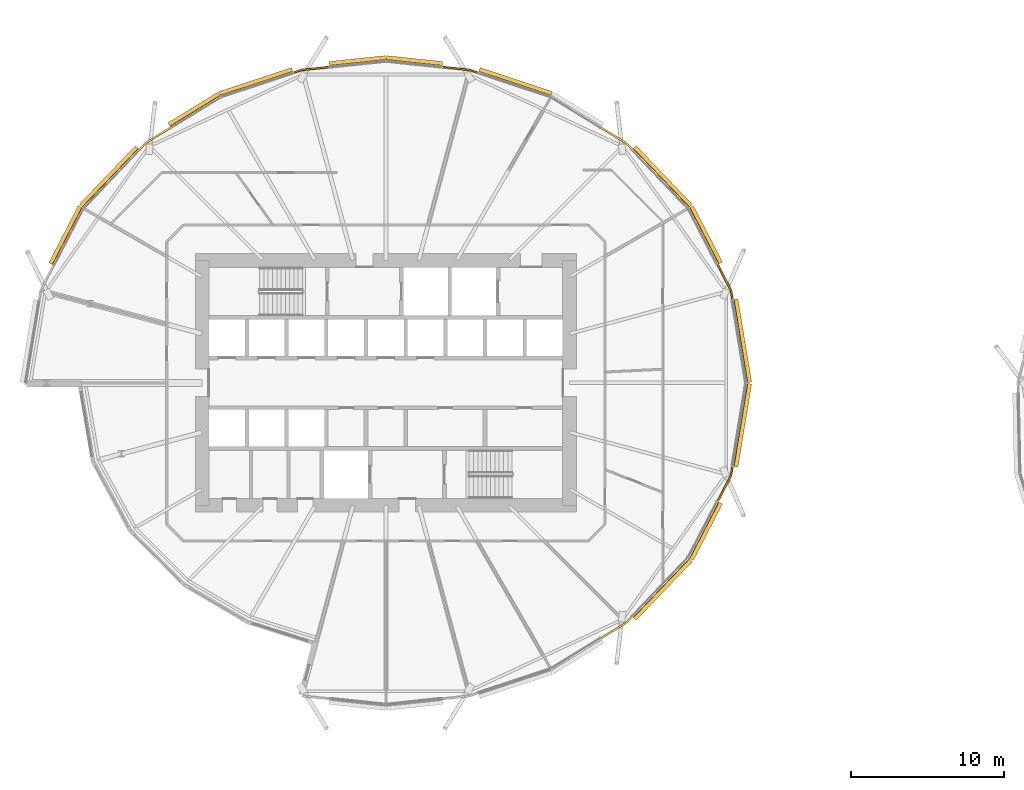
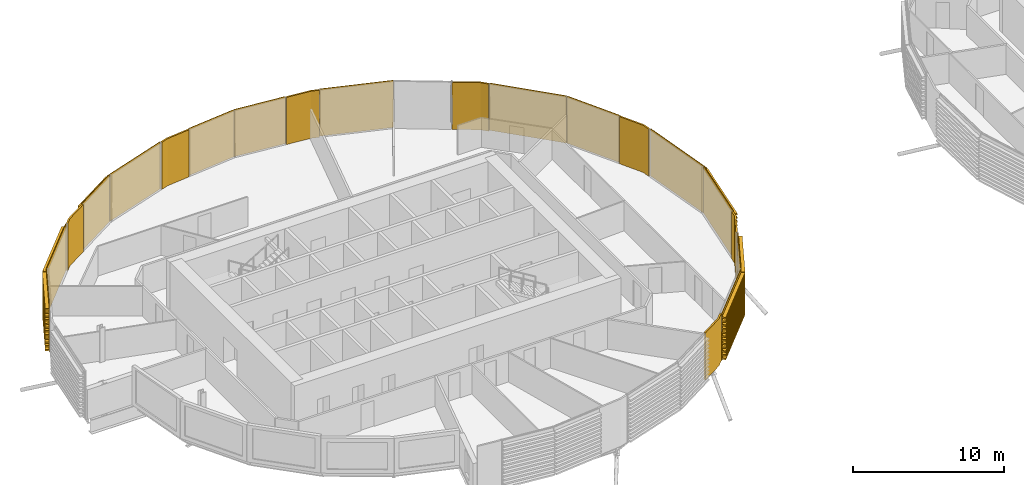
# One storey, part 35 of 38: 20 coverings.
"""IFC4 building model written with IfcOpenShell, lengths in metres."""

from ifc_helpers import new_model, si_unit, direction, frame, origin, place, context, subcontext, project, spatial, polyline, outline, extrude, material, layer, layer_set, material_profile, profile_set, type_object, element, save


model = new_model("IFC4")

# Units and contexts
model_context = context("Model", 3, precision=1e-05, world=origin(), true_north=direction((0.0, 1.0)))
body_context = subcontext(model_context, "Body", "Model", "MODEL_VIEW")
ifc_project = project(units=[si_unit("LENGTHUNIT", "METRE"), si_unit("AREAUNIT", "SQUARE_METRE"), si_unit("VOLUMEUNIT", "CUBIC_METRE"), si_unit("PLANEANGLEUNIT", "RADIAN"), si_unit("MASSUNIT", "GRAM", prefix="KILO")], contexts=[model_context])

# Site, building, storey
site_placement = place(None, origin())
site = spatial("IfcSite", under=ifc_project, at=site_placement, CompositionType="ELEMENT")
building_placement = place(site_placement, origin())
building = spatial("IfcBuilding", under=site, at=building_placement, Name="Rimbun Link Towers", CompositionType="ELEMENT")
storey_placement = place(building_placement, frame((0.0, 0.0, 71.800048828125)))
storey = spatial("IfcBuildingStorey", under=building, at=storey_placement, Name="L17", CompositionType="ELEMENT", Elevation=71.800048828125)

# Coverings
ifc_material_1 = material(Name="Terracotta", Category="masonry")
ifc_layer = layer(ifc_material_1, 0.1201171875)
ifc_layer_set = layer_set([ifc_layer], Name="LINK PIER terracotta cladding 120")
covering_type_1 = type_object("IfcCoveringType", Name="LINK PIER terracotta cladding 120", PredefinedType="CLADDING", material=ifc_layer_set)
covering_1_placement = place(storey_placement, origin())
element("IfcCovering", 1, at=covering_1_placement, inside=storey, type_object=covering_type_1, Name="LINK PIER cladding", PredefinedType="CLADDING", context=body_context, shape_type="SweptSolid", body=[
    extrude(outline(polyline([(-10.106689453125, 7.6904296875), (-9.247314453125, 6.029541015625), (-9.15478515625, 5.467041015625), (-9.036376953125, 5.486572265625), (-9.1318359375, 6.06787109375), (-10.0, 7.74560546875), (-10.106689453125, 7.6904296875)])), origin(), (0.0, 0.0, 1.0), 3.800048828125),
])
covering_2_placement = place(storey_placement, origin())
element("IfcCovering", 2, at=covering_2_placement, inside=storey, type_object=covering_type_1, Name="LINK PIER cladding", PredefinedType="CLADDING", context=body_context, shape_type="SweptSolid", body=[
    extrude(outline(polyline([(-17.696044921875, 16.6259765625), (-16.102294921875, 15.647705078125), (-15.7080078125, 15.236083984375), (-15.621337890625, 15.319091796875), (-16.0263671875, 15.74169921875), (-17.63330078125, 16.728271484375), (-17.696044921875, 16.6259765625)])), origin(), (0.0, 0.0, 1.0), 3.800048828125),
])
covering_3_placement = place(storey_placement, origin())
element("IfcCovering", 3, at=covering_3_placement, inside=storey, type_object=covering_type_1, Name="LINK PIER cladding", PredefinedType="CLADDING", context=body_context, shape_type="SweptSolid", body=[
    extrude(outline(polyline([(-28.043701171875, 20.586669921875), (-26.283447265625, 20.4013671875), (-25.742431640625, 20.221923828125), (-25.70458984375, 20.3359375), (-26.258056640625, 20.519287109375), (-28.03125, 20.7060546875), (-28.043701171875, 20.586669921875)])), origin(), (0.0, 0.0, 1.0), 3.800048828125),
])
covering_4_placement = place(storey_placement, origin())
element("IfcCovering", 4, at=covering_4_placement, inside=storey, type_object=covering_type_1, Name="LINK PIER cladding", PredefinedType="CLADDING", context=body_context, shape_type="SweptSolid", body=[
    extrude(outline(polyline([(-37.757568359375, 20.221923828125), (-37.216552734375, 20.4013671875), (-35.456298828125, 20.586669921875), (-35.46875, 20.7060546875), (-37.241943359375, 20.519287109375), (-37.79541015625, 20.3359375), (-37.757568359375, 20.221923828125)])), origin(), (0.0, 0.0, 1.0), 3.800048828125),
])
covering_5_placement = place(storey_placement, origin())
element("IfcCovering", 5, at=covering_5_placement, inside=storey, type_object=covering_type_1, Name="LINK PIER cladding", PredefinedType="CLADDING", context=body_context, shape_type="SweptSolid", body=[
    extrude(outline(polyline([(-47.7919921875, 15.236083984375), (-47.397705078125, 15.647705078125), (-45.803955078125, 16.6259765625), (-45.86669921875, 16.728271484375), (-47.4736328125, 15.74169921875), (-47.878662109375, 15.319091796875), (-47.7919921875, 15.236083984375)])), origin(), (0.0, 0.0, 1.0), 3.800048828125),
])
covering_6_placement = place(storey_placement, origin())
element("IfcCovering", 6, at=covering_6_placement, inside=storey, type_object=covering_type_1, Name="LINK PIER cladding", PredefinedType="CLADDING", context=body_context, shape_type="SweptSolid", body=[
    extrude(outline(polyline([(-15.7080078125, -15.236083984375), (-16.102294921875, -15.647705078125), (-17.696044921875, -16.6259765625), (-17.63330078125, -16.728271484375), (-16.0263671875, -15.74169921875), (-15.621337890625, -15.319091796875), (-15.7080078125, -15.236083984375)])), origin(), (0.0, 0.0, 1.0), 3.800048828125),
])
covering_7_placement = place(storey_placement, origin())
element("IfcCovering", 7, at=covering_7_placement, inside=storey, type_object=covering_type_1, Name="LINK PIER cladding", PredefinedType="CLADDING", context=body_context, shape_type="SweptSolid", body=[
    extrude(outline(polyline([(-9.15478515625, -5.467041015625), (-9.247314453125, -6.029541015625), (-10.106689453125, -7.6904296875), (-10.0, -7.74560546875), (-9.1318359375, -6.06787109375), (-9.036376953125, -5.486572265625), (-9.15478515625, -5.467041015625)])), origin(), (0.0, 0.0, 1.0), 3.800048828125),
])
ifc_material_2 = material(Name="Terracotta", Category="masonry")
ifc_material_profile = material_profile(ifc_material_2, outline(polyline([(0.123046875, 0.0), (0.1630859375, 0.0), (0.1630859375, 0.10009765625), (0.423095703125, 0.10009765625), (0.423095703125, 0.219970703125), (0.1630859375, 0.219970703125), (0.1630859375, 0.39990234375), (0.423095703125, 0.39990234375), (0.423095703125, 0.52001953125), (0.1630859375, 0.52001953125), (0.1630859375, 0.699951171875), (0.423095703125, 0.699951171875), (0.423095703125, 0.820068359375), (0.1630859375, 0.820068359375), (0.1630859375, 1.0), (0.423095703125, 1.0), (0.423095703125, 1.1201171875), (0.1630859375, 1.1201171875), (0.1630859375, 1.300048828125), (0.423095703125, 1.300048828125), (0.423095703125, 1.419921875), (0.1630859375, 1.419921875), (0.1630859375, 1.60009765625), (0.423095703125, 1.60009765625), (0.423095703125, 1.719970703125), (0.1630859375, 1.719970703125), (0.1630859375, 1.89990234375), (0.423095703125, 1.89990234375), (0.423095703125, 2.02001953125), (0.1630859375, 2.02001953125), (0.1630859375, 2.199951171875), (0.423095703125, 2.199951171875), (0.423095703125, 2.320068359375), (0.1630859375, 2.320068359375), (0.1630859375, 2.5), (0.423095703125, 2.5), (0.423095703125, 2.6201171875), (0.1630859375, 2.6201171875), (0.1630859375, 2.800048828125), (0.423095703125, 2.800048828125), (0.423095703125, 2.919921875), (0.1630859375, 2.919921875), (0.1630859375, 3.10009765625), (0.423095703125, 3.10009765625), (0.423095703125, 3.219970703125), (0.1630859375, 3.219970703125), (0.1630859375, 3.39990234375), (0.423095703125, 3.39990234375), (0.423095703125, 3.52001953125), (0.1630859375, 3.52001953125), (0.1630859375, 3.800048828125), (0.123046875, 3.800048828125), (0.123046875, 0.0)])), Name="BAGUETTE 120X300")
ifc_profile_set = profile_set([ifc_material_profile], Name="Terracotta")
covering_type_2 = type_object("IfcCoveringType", Name="TERRACOTTA BAGUETTE 120X300 H3800", PredefinedType="CLADDING", material=ifc_profile_set)
covering_8_placement = place(storey_placement, frame((-9.14990234375, 5.4375, 0.0), z_axis=(0.162286376516, -0.986743701271, 0.0), x_axis=(0.986743701271, 0.162286376516, 0.0)))
element("IfcCovering", 8, at=covering_8_placement, inside=storey, type_object=covering_type_2, Name="TERRACOTTA BAGUETTE", PredefinedType="CLADDING", context=body_context, shape_type="SweptSolid", body=[
    extrude(outline(polyline([(0.123046875, 0.0), (0.1630859375, 0.0), (0.1630859375, 0.10009765625), (0.423095703125, 0.10009765625), (0.423095703125, 0.219970703125), (0.1630859375, 0.219970703125), (0.1630859375, 0.39990234375), (0.423095703125, 0.39990234375), (0.423095703125, 0.52001953125), (0.1630859375, 0.52001953125), (0.1630859375, 0.699951171875), (0.423095703125, 0.699951171875), (0.423095703125, 0.820068359375), (0.1630859375, 0.820068359375), (0.1630859375, 1.0), (0.423095703125, 1.0), (0.423095703125, 1.1201171875), (0.1630859375, 1.1201171875), (0.1630859375, 1.300048828125), (0.423095703125, 1.300048828125), (0.423095703125, 1.419921875), (0.1630859375, 1.419921875), (0.1630859375, 1.60009765625), (0.423095703125, 1.60009765625), (0.423095703125, 1.719970703125), (0.1630859375, 1.719970703125), (0.1630859375, 1.89990234375), (0.423095703125, 1.89990234375), (0.423095703125, 2.02001953125), (0.1630859375, 2.02001953125), (0.1630859375, 2.199951171875), (0.423095703125, 2.199951171875), (0.423095703125, 2.320068359375), (0.1630859375, 2.320068359375), (0.1630859375, 2.5), (0.423095703125, 2.5), (0.423095703125, 2.6201171875), (0.1630859375, 2.6201171875), (0.1630859375, 2.800048828125), (0.423095703125, 2.800048828125), (0.423095703125, 2.919921875), (0.1630859375, 2.919921875), (0.1630859375, 3.10009765625), (0.423095703125, 3.10009765625), (0.423095703125, 3.219970703125), (0.1630859375, 3.219970703125), (0.1630859375, 3.39990234375), (0.423095703125, 3.39990234375), (0.423095703125, 3.52001953125), (0.1630859375, 3.52001953125), (0.1630859375, 3.800048828125), (0.123046875, 3.800048828125), (0.123046875, 0.0)])), origin(), (0.0, 0.0, 1.0), 5.510498046875),
])
covering_9_placement = place(storey_placement, frame((-12.02099609375, 11.390380859375, 0.0), z_axis=(0.459543354424, -0.888155338556, 0.0), x_axis=(0.888155338556, 0.459543354424, 0.0)))
element("IfcCovering", 9, at=covering_9_placement, inside=storey, type_object=covering_type_2, Name="TERRACOTTA BAGUETTE", PredefinedType="CLADDING", context=body_context, shape_type="SweptSolid", body=[
    extrude(outline(polyline([(0.123046875, 0.0), (0.1630859375, 0.0), (0.1630859375, 0.10009765625), (0.423095703125, 0.10009765625), (0.423095703125, 0.219970703125), (0.1630859375, 0.219970703125), (0.1630859375, 0.39990234375), (0.423095703125, 0.39990234375), (0.423095703125, 0.52001953125), (0.1630859375, 0.52001953125), (0.1630859375, 0.699951171875), (0.423095703125, 0.699951171875), (0.423095703125, 0.820068359375), (0.1630859375, 0.820068359375), (0.1630859375, 1.0), (0.423095703125, 1.0), (0.423095703125, 1.1201171875), (0.1630859375, 1.1201171875), (0.1630859375, 1.300048828125), (0.423095703125, 1.300048828125), (0.423095703125, 1.419921875), (0.1630859375, 1.419921875), (0.1630859375, 1.60009765625), (0.423095703125, 1.60009765625), (0.423095703125, 1.719970703125), (0.1630859375, 1.719970703125), (0.1630859375, 1.89990234375), (0.423095703125, 1.89990234375), (0.423095703125, 2.02001953125), (0.1630859375, 2.02001953125), (0.1630859375, 2.199951171875), (0.423095703125, 2.199951171875), (0.423095703125, 2.320068359375), (0.1630859375, 2.320068359375), (0.1630859375, 2.5), (0.423095703125, 2.5), (0.423095703125, 2.6201171875), (0.1630859375, 2.6201171875), (0.1630859375, 2.800048828125), (0.423095703125, 2.800048828125), (0.423095703125, 2.919921875), (0.1630859375, 2.919921875), (0.1630859375, 3.10009765625), (0.423095703125, 3.10009765625), (0.423095703125, 3.219970703125), (0.1630859375, 3.219970703125), (0.1630859375, 3.39990234375), (0.423095703125, 3.39990234375), (0.423095703125, 3.52001953125), (0.1630859375, 3.52001953125), (0.1630859375, 3.800048828125), (0.123046875, 3.800048828125), (0.123046875, 0.0)])), origin(), (0.0, 0.0, 1.0), 4.135986328125),
])
covering_10_placement = place(storey_placement, frame((-15.687255859375, 15.214599609375, 0.0), z_axis=(0.6920414756, -0.721857739482, 0.0), x_axis=(0.721857739482, 0.6920414756, 0.0)))
element("IfcCovering", 10, at=covering_10_placement, inside=storey, type_object=covering_type_2, Name="TERRACOTTA BAGUETTE", PredefinedType="CLADDING", context=body_context, shape_type="SweptSolid", body=[
    extrude(outline(polyline([(0.123046875, 0.0), (0.1630859375, 0.0), (0.1630859375, 0.10009765625), (0.423095703125, 0.10009765625), (0.423095703125, 0.219970703125), (0.1630859375, 0.219970703125), (0.1630859375, 0.39990234375), (0.423095703125, 0.39990234375), (0.423095703125, 0.52001953125), (0.1630859375, 0.52001953125), (0.1630859375, 0.699951171875), (0.423095703125, 0.699951171875), (0.423095703125, 0.820068359375), (0.1630859375, 0.820068359375), (0.1630859375, 1.0), (0.423095703125, 1.0), (0.423095703125, 1.1201171875), (0.1630859375, 1.1201171875), (0.1630859375, 1.300048828125), (0.423095703125, 1.300048828125), (0.423095703125, 1.419921875), (0.1630859375, 1.419921875), (0.1630859375, 1.60009765625), (0.423095703125, 1.60009765625), (0.423095703125, 1.719970703125), (0.1630859375, 1.719970703125), (0.1630859375, 1.89990234375), (0.423095703125, 1.89990234375), (0.423095703125, 2.02001953125), (0.1630859375, 2.02001953125), (0.1630859375, 2.199951171875), (0.423095703125, 2.199951171875), (0.423095703125, 2.320068359375), (0.1630859375, 2.320068359375), (0.1630859375, 2.5), (0.423095703125, 2.5), (0.423095703125, 2.6201171875), (0.1630859375, 2.6201171875), (0.1630859375, 2.800048828125), (0.423095703125, 2.800048828125), (0.423095703125, 2.919921875), (0.1630859375, 2.919921875), (0.1630859375, 3.10009765625), (0.423095703125, 3.10009765625), (0.423095703125, 3.219970703125), (0.1630859375, 3.219970703125), (0.1630859375, 3.39990234375), (0.423095703125, 3.39990234375), (0.423095703125, 3.52001953125), (0.1630859375, 3.52001953125), (0.1630859375, 3.800048828125), (0.123046875, 3.800048828125), (0.123046875, 0.0)])), origin(), (0.0, 0.0, 1.0), 5.2978515625),
])
covering_11_placement = place(storey_placement, frame((-25.7138671875, 20.212646484375, 0.0), z_axis=(0.949230755565, -0.314580629871, 0.0), x_axis=(0.314580629871, 0.949230755565, 0.0)))
element("IfcCovering", 11, at=covering_11_placement, inside=storey, type_object=covering_type_2, Name="TERRACOTTA BAGUETTE", PredefinedType="CLADDING", context=body_context, shape_type="SweptSolid", body=[
    extrude(outline(polyline([(0.123046875, 0.0), (0.1630859375, 0.0), (0.1630859375, 0.10009765625), (0.423095703125, 0.10009765625), (0.423095703125, 0.219970703125), (0.1630859375, 0.219970703125), (0.1630859375, 0.39990234375), (0.423095703125, 0.39990234375), (0.423095703125, 0.52001953125), (0.1630859375, 0.52001953125), (0.1630859375, 0.699951171875), (0.423095703125, 0.699951171875), (0.423095703125, 0.820068359375), (0.1630859375, 0.820068359375), (0.1630859375, 1.0), (0.423095703125, 1.0), (0.423095703125, 1.1201171875), (0.1630859375, 1.1201171875), (0.1630859375, 1.300048828125), (0.423095703125, 1.300048828125), (0.423095703125, 1.419921875), (0.1630859375, 1.419921875), (0.1630859375, 1.60009765625), (0.423095703125, 1.60009765625), (0.423095703125, 1.719970703125), (0.1630859375, 1.719970703125), (0.1630859375, 1.89990234375), (0.423095703125, 1.89990234375), (0.423095703125, 2.02001953125), (0.1630859375, 2.02001953125), (0.1630859375, 2.199951171875), (0.423095703125, 2.199951171875), (0.423095703125, 2.320068359375), (0.1630859375, 2.320068359375), (0.1630859375, 2.5), (0.423095703125, 2.5), (0.423095703125, 2.6201171875), (0.1630859375, 2.6201171875), (0.1630859375, 2.800048828125), (0.423095703125, 2.800048828125), (0.423095703125, 2.919921875), (0.1630859375, 2.919921875), (0.1630859375, 3.10009765625), (0.423095703125, 3.10009765625), (0.423095703125, 3.219970703125), (0.1630859375, 3.219970703125), (0.1630859375, 3.39990234375), (0.423095703125, 3.39990234375), (0.423095703125, 3.52001953125), (0.1630859375, 3.52001953125), (0.1630859375, 3.800048828125), (0.123046875, 3.800048828125), (0.123046875, 0.0)])), origin(), (0.0, 0.0, 1.0), 4.981689453125),
])
for number, where, z_axis, x_axis, name in (
    (12, (-31.75, 20.97705078125, 0.0), (0.994499661573, -0.104739787719, 0.0), (0.104739787719, 0.994499661573, 0.0), "TERRACOTTA BAGUETTE"),
    (13, (-35.426513671875, 20.58984375, 0.0), (0.994499661573, 0.104739787719, 0.0), (-0.104739787719, 0.994499661573, 0.0), "TERRACOTTA BAGUETTE"),
):
    element("IfcCovering", number, at=place(storey_placement, frame(where, z_axis=z_axis, x_axis=x_axis)), inside=storey, type_object=covering_type_2, Name=name, PredefinedType="CLADDING", context=body_context, shape_type="SweptSolid", body=[
        extrude(outline(polyline([(0.123046875, 0.0), (0.1630859375, 0.0), (0.1630859375, 0.10009765625), (0.423095703125, 0.10009765625), (0.423095703125, 0.219970703125), (0.1630859375, 0.219970703125), (0.1630859375, 0.39990234375), (0.423095703125, 0.39990234375), (0.423095703125, 0.52001953125), (0.1630859375, 0.52001953125), (0.1630859375, 0.699951171875), (0.423095703125, 0.699951171875), (0.423095703125, 0.820068359375), (0.1630859375, 0.820068359375), (0.1630859375, 1.0), (0.423095703125, 1.0), (0.423095703125, 1.1201171875), (0.1630859375, 1.1201171875), (0.1630859375, 1.300048828125), (0.423095703125, 1.300048828125), (0.423095703125, 1.419921875), (0.1630859375, 1.419921875), (0.1630859375, 1.60009765625), (0.423095703125, 1.60009765625), (0.423095703125, 1.719970703125), (0.1630859375, 1.719970703125), (0.1630859375, 1.89990234375), (0.423095703125, 1.89990234375), (0.423095703125, 2.02001953125), (0.1630859375, 2.02001953125), (0.1630859375, 2.199951171875), (0.423095703125, 2.199951171875), (0.423095703125, 2.320068359375), (0.1630859375, 2.320068359375), (0.1630859375, 2.5), (0.423095703125, 2.5), (0.423095703125, 2.6201171875), (0.1630859375, 2.6201171875), (0.1630859375, 2.800048828125), (0.423095703125, 2.800048828125), (0.423095703125, 2.919921875), (0.1630859375, 2.919921875), (0.1630859375, 3.10009765625), (0.423095703125, 3.10009765625), (0.423095703125, 3.219970703125), (0.1630859375, 3.219970703125), (0.1630859375, 3.39990234375), (0.423095703125, 3.39990234375), (0.423095703125, 3.52001953125), (0.1630859375, 3.52001953125), (0.1630859375, 3.800048828125), (0.123046875, 3.800048828125), (0.123046875, 0.0)])), origin(), (0.0, 0.0, 1.0), 3.69677734375),
    ])
covering_12_placement = place(storey_placement, frame((-42.514892578125, 18.6455078125, 0.0), z_axis=(0.949230755565, 0.314580629871, 0.0), x_axis=(-0.314580629871, 0.949230755565, 0.0)))
element("IfcCovering", 14, at=covering_12_placement, inside=storey, type_object=covering_type_2, Name="TERRACOTTA BAGUETTE", PredefinedType="CLADDING", context=body_context, shape_type="SweptSolid", body=[
    extrude(outline(polyline([(0.123046875, 0.0), (0.1630859375, 0.0), (0.1630859375, 0.10009765625), (0.423095703125, 0.10009765625), (0.423095703125, 0.219970703125), (0.1630859375, 0.219970703125), (0.1630859375, 0.39990234375), (0.423095703125, 0.39990234375), (0.423095703125, 0.52001953125), (0.1630859375, 0.52001953125), (0.1630859375, 0.699951171875), (0.423095703125, 0.699951171875), (0.423095703125, 0.820068359375), (0.1630859375, 0.820068359375), (0.1630859375, 1.0), (0.423095703125, 1.0), (0.423095703125, 1.1201171875), (0.1630859375, 1.1201171875), (0.1630859375, 1.300048828125), (0.423095703125, 1.300048828125), (0.423095703125, 1.419921875), (0.1630859375, 1.419921875), (0.1630859375, 1.60009765625), (0.423095703125, 1.60009765625), (0.423095703125, 1.719970703125), (0.1630859375, 1.719970703125), (0.1630859375, 1.89990234375), (0.423095703125, 1.89990234375), (0.423095703125, 2.02001953125), (0.1630859375, 2.02001953125), (0.1630859375, 2.199951171875), (0.423095703125, 2.199951171875), (0.423095703125, 2.320068359375), (0.1630859375, 2.320068359375), (0.1630859375, 2.5), (0.423095703125, 2.5), (0.423095703125, 2.6201171875), (0.1630859375, 2.6201171875), (0.1630859375, 2.800048828125), (0.423095703125, 2.800048828125), (0.423095703125, 2.919921875), (0.1630859375, 2.919921875), (0.1630859375, 3.10009765625), (0.423095703125, 3.10009765625), (0.423095703125, 3.219970703125), (0.1630859375, 3.219970703125), (0.1630859375, 3.39990234375), (0.423095703125, 3.39990234375), (0.423095703125, 3.52001953125), (0.1630859375, 3.52001953125), (0.1630859375, 3.800048828125), (0.123046875, 3.800048828125), (0.123046875, 0.0)])), origin(), (0.0, 0.0, 1.0), 4.981689453125),
])
covering_13_placement = place(storey_placement, frame((-45.778564453125, 16.641845703125, 0.0), z_axis=(0.852211619155, 0.523197244046, 0.0), x_axis=(-0.523197244046, 0.852211619155, 0.0)))
element("IfcCovering", 15, at=covering_13_placement, inside=storey, type_object=covering_type_2, Name="TERRACOTTA BAGUETTE", PredefinedType="CLADDING", context=body_context, shape_type="SweptSolid", body=[
    extrude(outline(polyline([(0.123046875, 0.0), (0.1630859375, 0.0), (0.1630859375, 0.10009765625), (0.423095703125, 0.10009765625), (0.423095703125, 0.219970703125), (0.1630859375, 0.219970703125), (0.1630859375, 0.39990234375), (0.423095703125, 0.39990234375), (0.423095703125, 0.52001953125), (0.1630859375, 0.52001953125), (0.1630859375, 0.699951171875), (0.423095703125, 0.699951171875), (0.423095703125, 0.820068359375), (0.1630859375, 0.820068359375), (0.1630859375, 1.0), (0.423095703125, 1.0), (0.423095703125, 1.1201171875), (0.1630859375, 1.1201171875), (0.1630859375, 1.300048828125), (0.423095703125, 1.300048828125), (0.423095703125, 1.419921875), (0.1630859375, 1.419921875), (0.1630859375, 1.60009765625), (0.423095703125, 1.60009765625), (0.423095703125, 1.719970703125), (0.1630859375, 1.719970703125), (0.1630859375, 1.89990234375), (0.423095703125, 1.89990234375), (0.423095703125, 2.02001953125), (0.1630859375, 2.02001953125), (0.1630859375, 2.199951171875), (0.423095703125, 2.199951171875), (0.423095703125, 2.320068359375), (0.1630859375, 2.320068359375), (0.1630859375, 2.5), (0.423095703125, 2.5), (0.423095703125, 2.6201171875), (0.1630859375, 2.6201171875), (0.1630859375, 2.800048828125), (0.423095703125, 2.800048828125), (0.423095703125, 2.919921875), (0.1630859375, 2.919921875), (0.1630859375, 3.10009765625), (0.423095703125, 3.10009765625), (0.423095703125, 3.219970703125), (0.1630859375, 3.219970703125), (0.1630859375, 3.39990234375), (0.423095703125, 3.39990234375), (0.423095703125, 3.52001953125), (0.1630859375, 3.52001953125), (0.1630859375, 3.800048828125), (0.123046875, 3.800048828125), (0.123046875, 0.0)])), origin(), (0.0, 0.0, 1.0), 3.82958984375),
])
covering_14_placement = place(storey_placement, frame((-51.47900390625, 11.390380859375, 0.0), z_axis=(0.6920414756, 0.721857739482, 0.0), x_axis=(-0.721857739482, 0.6920414756, 0.0)))
element("IfcCovering", 16, at=covering_14_placement, inside=storey, type_object=covering_type_2, Name="TERRACOTTA BAGUETTE", PredefinedType="CLADDING", context=body_context, shape_type="SweptSolid", body=[
    extrude(outline(polyline([(0.123046875, 0.0), (0.1630859375, 0.0), (0.1630859375, 0.10009765625), (0.423095703125, 0.10009765625), (0.423095703125, 0.219970703125), (0.1630859375, 0.219970703125), (0.1630859375, 0.39990234375), (0.423095703125, 0.39990234375), (0.423095703125, 0.52001953125), (0.1630859375, 0.52001953125), (0.1630859375, 0.699951171875), (0.423095703125, 0.699951171875), (0.423095703125, 0.820068359375), (0.1630859375, 0.820068359375), (0.1630859375, 1.0), (0.423095703125, 1.0), (0.423095703125, 1.1201171875), (0.1630859375, 1.1201171875), (0.1630859375, 1.300048828125), (0.423095703125, 1.300048828125), (0.423095703125, 1.419921875), (0.1630859375, 1.419921875), (0.1630859375, 1.60009765625), (0.423095703125, 1.60009765625), (0.423095703125, 1.719970703125), (0.1630859375, 1.719970703125), (0.1630859375, 1.89990234375), (0.423095703125, 1.89990234375), (0.423095703125, 2.02001953125), (0.1630859375, 2.02001953125), (0.1630859375, 2.199951171875), (0.423095703125, 2.199951171875), (0.423095703125, 2.320068359375), (0.1630859375, 2.320068359375), (0.1630859375, 2.5), (0.423095703125, 2.5), (0.423095703125, 2.6201171875), (0.1630859375, 2.6201171875), (0.1630859375, 2.800048828125), (0.423095703125, 2.800048828125), (0.423095703125, 2.919921875), (0.1630859375, 2.919921875), (0.1630859375, 3.10009765625), (0.423095703125, 3.10009765625), (0.423095703125, 3.219970703125), (0.1630859375, 3.219970703125), (0.1630859375, 3.39990234375), (0.423095703125, 3.39990234375), (0.423095703125, 3.52001953125), (0.1630859375, 3.52001953125), (0.1630859375, 3.800048828125), (0.123046875, 3.800048828125), (0.123046875, 0.0)])), origin(), (0.0, 0.0, 1.0), 5.2978515625),
])
covering_15_placement = place(storey_placement, frame((-53.402587890625, 7.672607421875, 0.0), z_axis=(0.459535569323, 0.888159366627, 0.0), x_axis=(-0.888159366627, 0.459535569323, 0.0)))
element("IfcCovering", 17, at=covering_15_placement, inside=storey, type_object=covering_type_2, Name="TERRACOTTA BAGUETTE", PredefinedType="CLADDING", context=body_context, shape_type="SweptSolid", body=[
    extrude(outline(polyline([(0.123046875, 0.0), (0.1630859375, 0.0), (0.1630859375, 0.10009765625), (0.423095703125, 0.10009765625), (0.423095703125, 0.219970703125), (0.1630859375, 0.219970703125), (0.1630859375, 0.39990234375), (0.423095703125, 0.39990234375), (0.423095703125, 0.52001953125), (0.1630859375, 0.52001953125), (0.1630859375, 0.699951171875), (0.423095703125, 0.699951171875), (0.423095703125, 0.820068359375), (0.1630859375, 0.820068359375), (0.1630859375, 1.0), (0.423095703125, 1.0), (0.423095703125, 1.1201171875), (0.1630859375, 1.1201171875), (0.1630859375, 1.300048828125), (0.423095703125, 1.300048828125), (0.423095703125, 1.419921875), (0.1630859375, 1.419921875), (0.1630859375, 1.60009765625), (0.423095703125, 1.60009765625), (0.423095703125, 1.719970703125), (0.1630859375, 1.719970703125), (0.1630859375, 1.89990234375), (0.423095703125, 1.89990234375), (0.423095703125, 2.02001953125), (0.1630859375, 2.02001953125), (0.1630859375, 2.199951171875), (0.423095703125, 2.199951171875), (0.423095703125, 2.320068359375), (0.1630859375, 2.320068359375), (0.1630859375, 2.5), (0.423095703125, 2.5), (0.423095703125, 2.6201171875), (0.1630859375, 2.6201171875), (0.1630859375, 2.800048828125), (0.423095703125, 2.800048828125), (0.423095703125, 2.919921875), (0.1630859375, 2.919921875), (0.1630859375, 3.10009765625), (0.423095703125, 3.10009765625), (0.423095703125, 3.219970703125), (0.1630859375, 3.219970703125), (0.1630859375, 3.39990234375), (0.423095703125, 3.39990234375), (0.423095703125, 3.52001953125), (0.1630859375, 3.52001953125), (0.1630859375, 3.800048828125), (0.123046875, 3.800048828125), (0.123046875, 0.0)])), origin(), (0.0, 0.0, 1.0), 4.18603515625),
])
covering_16_placement = place(storey_placement, frame((-12.02099609375, -11.390380859375, 0.0), z_axis=(-0.6920414756, -0.721857739482, 0.0), x_axis=(0.721857739482, -0.6920414756, 0.0)))
element("IfcCovering", 18, at=covering_16_placement, inside=storey, type_object=covering_type_2, Name="TERRACOTTA BAGUETTE", PredefinedType="CLADDING", context=body_context, shape_type="SweptSolid", body=[
    extrude(outline(polyline([(0.123046875, 0.0), (0.1630859375, 0.0), (0.1630859375, 0.10009765625), (0.423095703125, 0.10009765625), (0.423095703125, 0.219970703125), (0.1630859375, 0.219970703125), (0.1630859375, 0.39990234375), (0.423095703125, 0.39990234375), (0.423095703125, 0.52001953125), (0.1630859375, 0.52001953125), (0.1630859375, 0.699951171875), (0.423095703125, 0.699951171875), (0.423095703125, 0.820068359375), (0.1630859375, 0.820068359375), (0.1630859375, 1.0), (0.423095703125, 1.0), (0.423095703125, 1.1201171875), (0.1630859375, 1.1201171875), (0.1630859375, 1.300048828125), (0.423095703125, 1.300048828125), (0.423095703125, 1.419921875), (0.1630859375, 1.419921875), (0.1630859375, 1.60009765625), (0.423095703125, 1.60009765625), (0.423095703125, 1.719970703125), (0.1630859375, 1.719970703125), (0.1630859375, 1.89990234375), (0.423095703125, 1.89990234375), (0.423095703125, 2.02001953125), (0.1630859375, 2.02001953125), (0.1630859375, 2.199951171875), (0.423095703125, 2.199951171875), (0.423095703125, 2.320068359375), (0.1630859375, 2.320068359375), (0.1630859375, 2.5), (0.423095703125, 2.5), (0.423095703125, 2.6201171875), (0.1630859375, 2.6201171875), (0.1630859375, 2.800048828125), (0.423095703125, 2.800048828125), (0.423095703125, 2.919921875), (0.1630859375, 2.919921875), (0.1630859375, 3.10009765625), (0.423095703125, 3.10009765625), (0.423095703125, 3.219970703125), (0.1630859375, 3.219970703125), (0.1630859375, 3.39990234375), (0.423095703125, 3.39990234375), (0.423095703125, 3.52001953125), (0.1630859375, 3.52001953125), (0.1630859375, 3.800048828125), (0.123046875, 3.800048828125), (0.123046875, 0.0)])), origin(), (0.0, 0.0, 1.0), 5.2978515625),
])
covering_17_placement = place(storey_placement, frame((-10.120361328125, -7.717041015625, 0.0), z_axis=(-0.459543354424, -0.888155338556, 0.0), x_axis=(0.888155338556, -0.459543354424, 0.0)))
element("IfcCovering", 19, at=covering_17_placement, inside=storey, type_object=covering_type_2, Name="TERRACOTTA BAGUETTE", PredefinedType="CLADDING", context=body_context, shape_type="SweptSolid", body=[
    extrude(outline(polyline([(0.123046875, 0.0), (0.1630859375, 0.0), (0.1630859375, 0.10009765625), (0.423095703125, 0.10009765625), (0.423095703125, 0.219970703125), (0.1630859375, 0.219970703125), (0.1630859375, 0.39990234375), (0.423095703125, 0.39990234375), (0.423095703125, 0.52001953125), (0.1630859375, 0.52001953125), (0.1630859375, 0.699951171875), (0.423095703125, 0.699951171875), (0.423095703125, 0.820068359375), (0.1630859375, 0.820068359375), (0.1630859375, 1.0), (0.423095703125, 1.0), (0.423095703125, 1.1201171875), (0.1630859375, 1.1201171875), (0.1630859375, 1.300048828125), (0.423095703125, 1.300048828125), (0.423095703125, 1.419921875), (0.1630859375, 1.419921875), (0.1630859375, 1.60009765625), (0.423095703125, 1.60009765625), (0.423095703125, 1.719970703125), (0.1630859375, 1.719970703125), (0.1630859375, 1.89990234375), (0.423095703125, 1.89990234375), (0.423095703125, 2.02001953125), (0.1630859375, 2.02001953125), (0.1630859375, 2.199951171875), (0.423095703125, 2.199951171875), (0.423095703125, 2.320068359375), (0.1630859375, 2.320068359375), (0.1630859375, 2.5), (0.423095703125, 2.5), (0.423095703125, 2.6201171875), (0.1630859375, 2.6201171875), (0.1630859375, 2.800048828125), (0.423095703125, 2.800048828125), (0.423095703125, 2.919921875), (0.1630859375, 2.919921875), (0.1630859375, 3.10009765625), (0.423095703125, 3.10009765625), (0.423095703125, 3.219970703125), (0.1630859375, 3.219970703125), (0.1630859375, 3.39990234375), (0.423095703125, 3.39990234375), (0.423095703125, 3.52001953125), (0.1630859375, 3.52001953125), (0.1630859375, 3.800048828125), (0.123046875, 3.800048828125), (0.123046875, 0.0)])), origin(), (0.0, 0.0, 1.0), 4.135986328125),
])
covering_18_placement = place(storey_placement, frame((-8.255615234375, 0.0, 0.0), z_axis=(-0.162286376516, -0.986743701271, 0.0), x_axis=(0.986743701271, -0.162286376516, 0.0)))
element("IfcCovering", 20, at=covering_18_placement, inside=storey, type_object=covering_type_2, Name="TERRACOTTA BAGUETTE", PredefinedType="CLADDING", context=body_context, shape_type="SweptSolid", body=[
    extrude(outline(polyline([(0.123046875, 0.0), (0.1630859375, 0.0), (0.1630859375, 0.10009765625), (0.423095703125, 0.10009765625), (0.423095703125, 0.219970703125), (0.1630859375, 0.219970703125), (0.1630859375, 0.39990234375), (0.423095703125, 0.39990234375), (0.423095703125, 0.52001953125), (0.1630859375, 0.52001953125), (0.1630859375, 0.699951171875), (0.423095703125, 0.699951171875), (0.423095703125, 0.820068359375), (0.1630859375, 0.820068359375), (0.1630859375, 1.0), (0.423095703125, 1.0), (0.423095703125, 1.1201171875), (0.1630859375, 1.1201171875), (0.1630859375, 1.300048828125), (0.423095703125, 1.300048828125), (0.423095703125, 1.419921875), (0.1630859375, 1.419921875), (0.1630859375, 1.60009765625), (0.423095703125, 1.60009765625), (0.423095703125, 1.719970703125), (0.1630859375, 1.719970703125), (0.1630859375, 1.89990234375), (0.423095703125, 1.89990234375), (0.423095703125, 2.02001953125), (0.1630859375, 2.02001953125), (0.1630859375, 2.199951171875), (0.423095703125, 2.199951171875), (0.423095703125, 2.320068359375), (0.1630859375, 2.320068359375), (0.1630859375, 2.5), (0.423095703125, 2.5), (0.423095703125, 2.6201171875), (0.1630859375, 2.6201171875), (0.1630859375, 2.800048828125), (0.423095703125, 2.800048828125), (0.423095703125, 2.919921875), (0.1630859375, 2.919921875), (0.1630859375, 3.10009765625), (0.423095703125, 3.10009765625), (0.423095703125, 3.219970703125), (0.1630859375, 3.219970703125), (0.1630859375, 3.39990234375), (0.423095703125, 3.39990234375), (0.423095703125, 3.52001953125), (0.1630859375, 3.52001953125), (0.1630859375, 3.800048828125), (0.123046875, 3.800048828125), (0.123046875, 0.0)])), origin(), (0.0, 0.0, 1.0), 5.510498046875),
])

save(model, "model.ifc")
